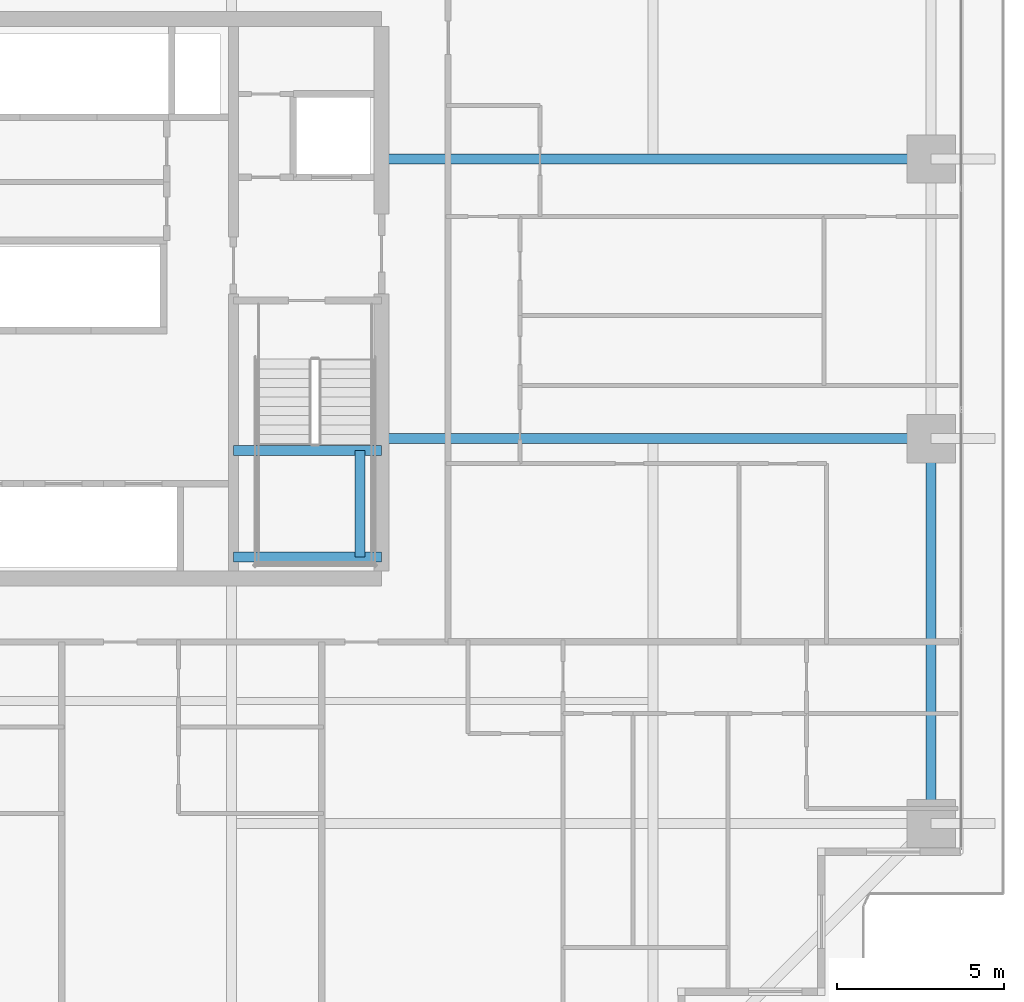
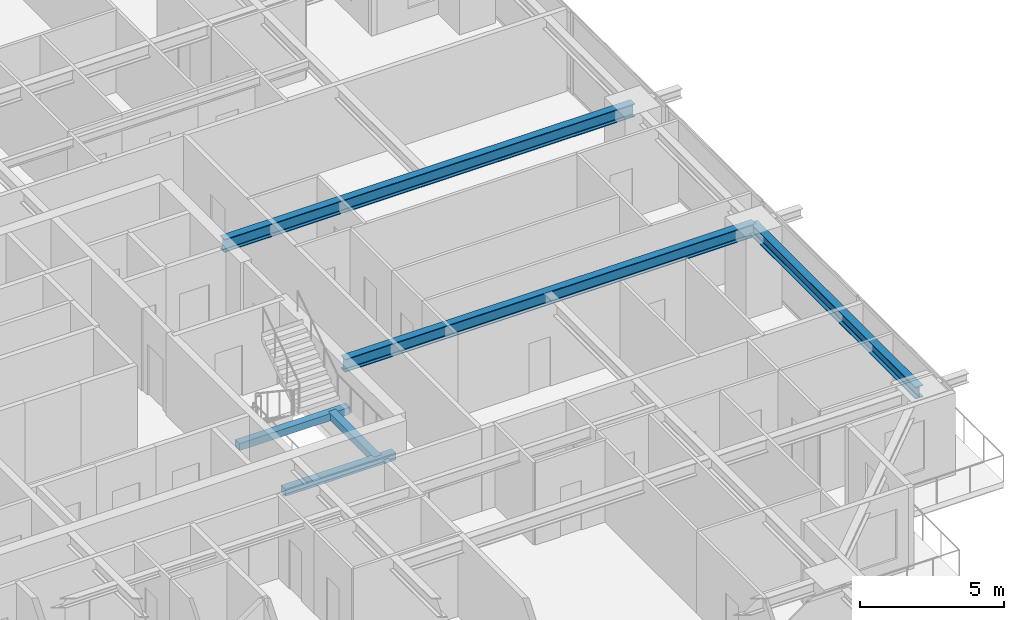
# One storey, part 13 of 35: 6 beams.
"""IFC4 building model written with IfcOpenShell, lengths in metres."""

from ifc_helpers import new_model, si_unit, direction, frame, origin, origin_2d, place, context, subcontext, project, spatial, rectangle, i_section, extrude, source, transform, mapped, material, material_profile, profile_set, type_object, element, save


model = new_model("IFC4")

# Units and contexts
model_context = context("Model", 3, precision=1e-05, world=origin(), true_north=direction((0.0, 1.0)))
body_context = subcontext(model_context, "Body", "Model", "MODEL_VIEW")
ifc_project = project(units=[si_unit("LENGTHUNIT", "METRE"), si_unit("AREAUNIT", "SQUARE_METRE"), si_unit("VOLUMEUNIT", "CUBIC_METRE"), si_unit("PLANEANGLEUNIT", "RADIAN"), si_unit("MASSUNIT", "GRAM", prefix="KILO")], contexts=[model_context])

# Site, building, storey
site_placement = place(None, origin())
site = spatial("IfcSite", under=ifc_project, at=site_placement, CompositionType="ELEMENT")
building_placement = place(site_placement, origin())
building = spatial("IfcBuilding", under=site, at=building_placement, Name="Serunith Strait Residences", CompositionType="ELEMENT")
storey_placement = place(building_placement, frame((0.0, 0.0, 56.699951171875)))
storey = spatial("IfcBuildingStorey", under=building, at=storey_placement, Name="L13", CompositionType="ELEMENT", Elevation=56.699951171875)

# Beams
ifc_material_1 = material(Name="Steel S355J2", Category="steel")
ifc_material_profile_1 = material_profile(ifc_material_1, i_section(OverallWidth=0.300048828125, OverallDepth=0.550048828125, WebThickness=0.014892578125, FlangeThickness=0.029052734375, FilletRadius=0.027099609375, at=origin_2d()), Name="HEB 550")
ifc_profile_set_1 = profile_set([ifc_material_profile_1], Name="Steel S355J2")
beam_type_1 = type_object("IfcBeamType", Name="BM-HEB550", PredefinedType="BEAM", material=ifc_profile_set_1)
shared_shape_1 = source(origin(), body_context, "Body", "SweptSolid", [
    extrude(i_section(OverallWidth=0.300048828125, OverallDepth=0.550048828125, WebThickness=0.014892578125, FlangeThickness=0.029052734375, FilletRadius=0.027099609375, at=origin_2d()), origin(), (0.0, 0.0, 1.0), 16.5),
])
for number, where, z_axis, x_axis, name in (
    (1, (41.39990234375, 21.0, 3.212158203125), (1.0, 0.0, 0.0), (0.0, 1.0, 0.0), "L13 Primary Floor Girder TC-E2"),
    (2, (41.39990234375, 29.39990234375, 3.212158203125), (1.0, 0.0, 0.0), (0.0, 1.0, 0.0), "L13 Primary Floor Girder TC-E3"),
):
    element("IfcBeam", number, at=place(storey_placement, frame(where, z_axis=z_axis, x_axis=x_axis)), inside=storey, type_object=beam_type_1, Name=name, PredefinedType="BEAM", context=body_context, shape_type="MappedRepresentation", body=[
        mapped(shared_shape_1, transform((0.0, 0.0, 0.0), scale=1.0)),
    ])
ifc_material_profile_2 = material_profile(ifc_material_1, i_section(OverallWidth=0.300048828125, OverallDepth=0.5, WebThickness=0.014404296875, FlangeThickness=0.028076171875, FilletRadius=0.027099609375, at=origin_2d()), Name="HEB 500")
ifc_profile_set_2 = profile_set([ifc_material_profile_2], Name="Steel S355J2")
beam_type_2 = type_object("IfcBeamType", Name="BM-HEB500", PredefinedType="BEAM", material=ifc_profile_set_2)
shared_shape_2 = source(origin(), body_context, "Body", "SweptSolid", [
    extrude(i_section(OverallWidth=0.300048828125, OverallDepth=0.5, WebThickness=0.014404296875, FlangeThickness=0.028076171875, FilletRadius=0.027099609375, at=origin_2d()), origin(), (0.0, 0.0, 1.0), 11.550048828125),
])
beam_1_placement = place(storey_placement, frame((57.89990234375, 9.449951171875, 3.237060546875), z_axis=(0.0, 1.0, 0.0), x_axis=(-1.0, 0.0, 0.0)))
element("IfcBeam", 3, at=beam_1_placement, inside=storey, type_object=beam_type_2, Name="L13 Perimeter Ring Beam 05", PredefinedType="BEAM", context=body_context, shape_type="MappedRepresentation", body=[
    mapped(shared_shape_2, transform((0.0, 0.0, 0.0), scale=1.0)),
])
ifc_material_2 = material(Name="Concrete C60/75", Category="concrete")
ifc_material_profile_3 = material_profile(ifc_material_2, rectangle(XDim=0.300048828125, YDim=0.300048828125, at=origin_2d()), Name="RC 300x300")
ifc_profile_set_3 = profile_set([ifc_material_profile_3], Name="Concrete C60/75")
beam_type_3 = type_object("IfcBeamType", Name="BM-LAND-300x300", PredefinedType="BEAM", material=ifc_profile_set_3)
shared_shape_3 = source(origin(), body_context, "Body", "SweptSolid", [
    extrude(rectangle(XDim=0.300048828125, YDim=0.300048828125, at=origin_2d()), origin(), (0.0, 0.0, 1.0), 3.199951171875),
])
beam_2_placement = place(storey_placement, frame((40.75, 17.449951171875, 1.525146484375), z_axis=(0.0, 1.0, 0.0), x_axis=(-1.0, 0.0, 0.0)))
element("IfcBeam", 4, at=beam_2_placement, inside=storey, type_object=beam_type_3, Name="L13 ST-2 Landing Transverse Tie Beam", PredefinedType="BEAM", context=body_context, shape_type="MappedRepresentation", body=[
    mapped(shared_shape_3, transform((0.0, 0.0, 0.0), scale=1.0)),
])
shared_shape_4 = source(origin(), body_context, "Body", "SweptSolid", [
    extrude(rectangle(XDim=0.300048828125, YDim=0.300048828125, at=origin_2d()), origin(), (0.0, 0.0, 1.0), 4.449951171875),
])
for number, where, z_axis, x_axis, name in (
    (5, (36.949951171875, 17.449951171875, 1.525146484375), (1.0, 0.0, 0.0), (0.0, 1.0, 0.0), "L13 ST-2 Landing Support Beam 1"),
    (6, (36.949951171875, 20.64990234375, 1.525146484375), (1.0, 0.0, 0.0), (0.0, 1.0, 0.0), "L13 ST-2 Landing Support Beam 2"),
):
    element("IfcBeam", number, at=place(storey_placement, frame(where, z_axis=z_axis, x_axis=x_axis)), inside=storey, type_object=beam_type_3, Name=name, PredefinedType="BEAM", context=body_context, shape_type="MappedRepresentation", body=[
        mapped(shared_shape_4, transform((0.0, 0.0, 0.0), scale=1.0)),
    ])

save(model, "model.ifc")
